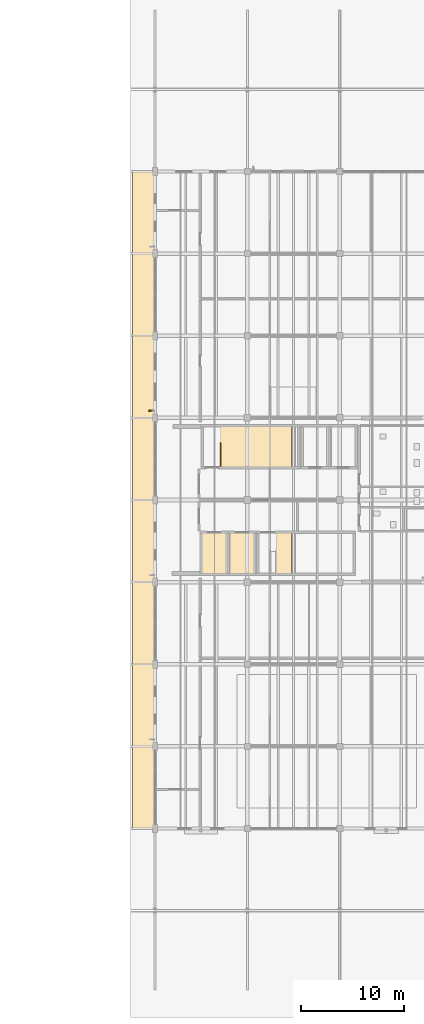
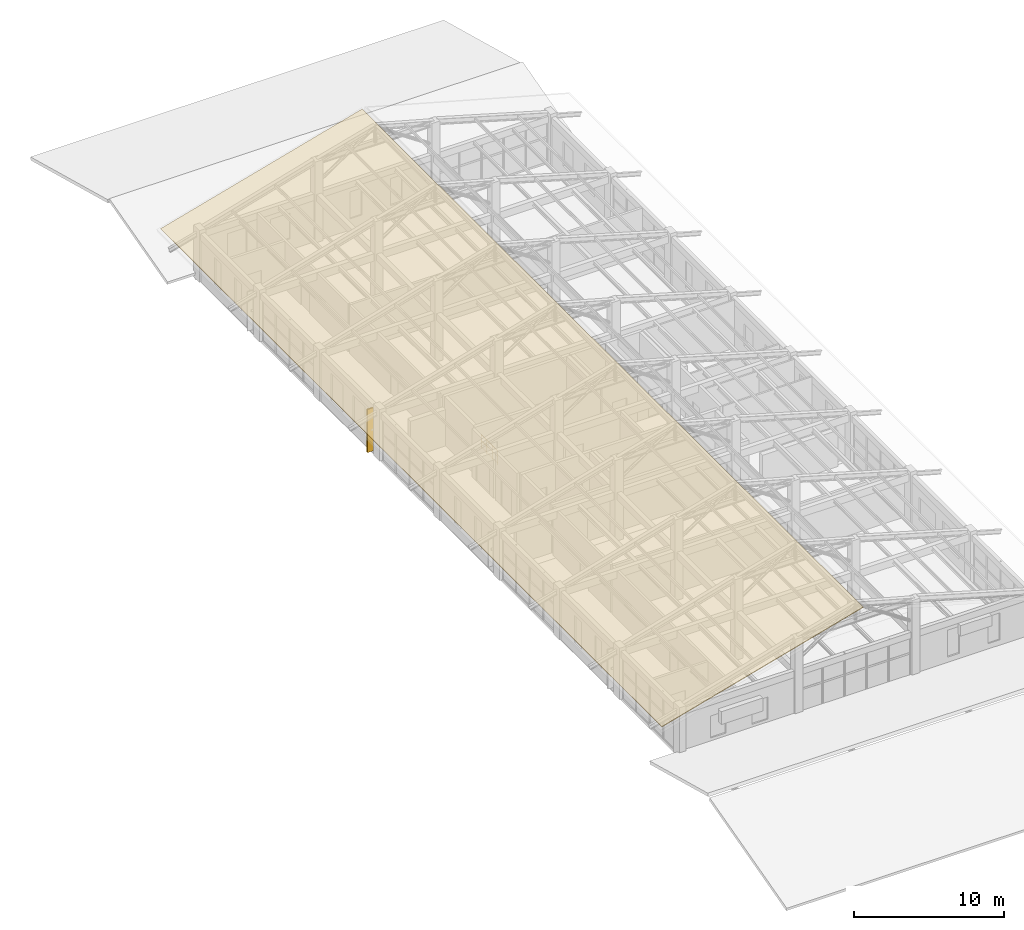
# One storey, part 55 of 58: 1 covering, 1 railing, 1 shading device.
"""IFC4 building model written with IfcOpenShell, lengths in metres."""

from ifc_helpers import new_model, si_unit, derived_unit, direction, frame, origin, origin_2d, place, context, subcontext, project, spatial, polyline, rectangle, circle, outline, extrude, material, layer, layer_set, type_object, element, save


model = new_model("IFC4")

# Units and contexts
model_context = context("Model", 3, precision=1e-05, world=origin(), true_north=direction((0.0, 1.0)))
body_context = subcontext(model_context, "Body", "Model", "MODEL_VIEW")
ifc_project = project(units=[si_unit("LENGTHUNIT", "METRE"), si_unit("AREAUNIT", "SQUARE_METRE"), si_unit("VOLUMEUNIT", "CUBIC_METRE"), si_unit("PLANEANGLEUNIT", "RADIAN"), si_unit("MASSUNIT", "GRAM", prefix="KILO"), derived_unit("THERMALTRANSMITTANCEUNIT", [(si_unit("MASSUNIT", "GRAM", prefix="KILO"), 1), (si_unit("TIMEUNIT", "SECOND"), -3), (si_unit("THERMODYNAMICTEMPERATUREUNIT", "KELVIN"), -1)])], contexts=[model_context])

# Site, building, storey
site_placement = place(None, origin())
site = spatial("IfcSite", under=ifc_project, at=site_placement, CompositionType="ELEMENT")
building_placement = place(site_placement, origin())
building = spatial("IfcBuilding", under=site, at=building_placement, Name="Zhenchuan Archway Interchange", CompositionType="ELEMENT")
storey_placement = place(building_placement, frame((0.0, 0.0, 22.800048828125)))
storey = spatial("IfcBuildingStorey", under=building, at=storey_placement, Name="L05", CompositionType="ELEMENT", Elevation=22.800048828125)

# Covering
ifc_material_1 = material(Name="Terracotta Ceramic", Category="masonry")
ifc_layer = layer(ifc_material_1, 0.050048828125)
ifc_layer_set = layer_set([ifc_layer], Name="Terracotta Ceramic")
covering_type = type_object("IfcCoveringType", Name="COV_ROOF_TERRA", PredefinedType="ROOFING", material=ifc_layer_set)
covering_placement = place(storey_placement, frame((141.800048828125, 22.60009765625, 3.968994140625), z_axis=(-0.267607857377, 0.0, 0.963527910686), x_axis=(0.963527910686, 0.0, 0.267607857377)))
element("IfcCovering", 1, at=covering_placement, inside=storey, type_object=covering_type, Name="Roof weatherproofing covering COV:ROOF:CMD-W", PredefinedType="ROOFING", context=body_context, shape_type="SweptSolid", body=[
    extrude(outline(polyline([(0.0, 0.0), (16.086716148128374, 0.0), (16.086716148128374, 66.7998046875), (0.0, 66.7998046875), (0.0, 0.0)])), origin(), (0.0, 0.0, -1.0), 0.050048828125),
])

# Railing
ifc_material_2 = material(Name="Painted Galvanised Steel", Category="steel")
railing_type = type_object("IfcRailingType", Name="RL_GUARD_1150", PredefinedType="GUARDRAIL", material=ifc_material_2)
railing_placement = place(storey_placement, frame((150.385009765625, 59.31494140625, 0.0)))
element("IfcRailing", 2, at=railing_placement, inside=storey, type_object=railing_type, Name="Stair ST-O1 top landing guard (L05)", PredefinedType="GUARDRAIL", context=body_context, shape_type="SweptSolid", body=[
    extrude(circle(Radius=0.02392578125, at=origin_2d()), frame((0.0, 0.0, 1.1259765625), z_axis=(0.0, 1.0, 0.0), x_axis=(-1.0, 0.0, 0.0)), (0.0, 0.0, 1.0), 2.219970703125),
    extrude(circle(Radius=0.01611328125, at=origin_2d()), frame((0.0, 0.0, 0.63232421875), z_axis=(0.0, 1.0, 0.0), x_axis=(-1.0, 0.0, 0.0)), (0.0, 0.0, 1.0), 2.219970703125),
    extrude(circle(Radius=0.01611328125, at=origin_2d()), frame((0.0, 0.0, 0.1201171875), z_axis=(0.0, 1.0, 0.0), x_axis=(-1.0, 0.0, 0.0)), (0.0, 0.0, 1.0), 2.219970703125),
    extrude(circle(Radius=0.02099609375, at=origin_2d()), origin(), (0.0, 0.0, 1.0), 1.1259765625),
    extrude(circle(Radius=0.02099609375, at=origin_2d()), frame((0.0, 0.739990234375, 0.0)), (0.0, 0.0, 1.0), 1.1259765625),
    extrude(circle(Radius=0.02099609375, at=origin_2d()), frame((0.0, 1.47998046875, 0.0)), (0.0, 0.0, 1.0), 1.1259765625),
    extrude(circle(Radius=0.02099609375, at=origin_2d()), frame((0.0, 2.219970703125, 0.0)), (0.0, 0.0, 1.0), 1.1259765625),
])

# Shading device
shading_device_type = type_object("IfcShadingDeviceType", Name="SHD_FIN_3", PredefinedType="USERDEFINED", material=ifc_material_1)
shading_device_placement = place(storey_placement, frame((143.635986328125, 64.677978515625, 0.199951171875), z_axis=(0.0, 0.0, 1.0), x_axis=(0.0, 1.0, 0.0)))
element("IfcShadingDevice", 3, at=shading_device_placement, inside=storey, type_object=shading_device_type, Name="Terracotta vertical solar fin L05-143", ObjectType="FINS", PredefinedType="USERDEFINED", context=body_context, shape_type="SweptSolid", body=[
    extrude(rectangle(XDim=0.10009765625, YDim=0.4599609375, at=origin_2d()), origin(), (0.0, 0.0, 1.0), 3.5),
])

save(model, "model.ifc")
